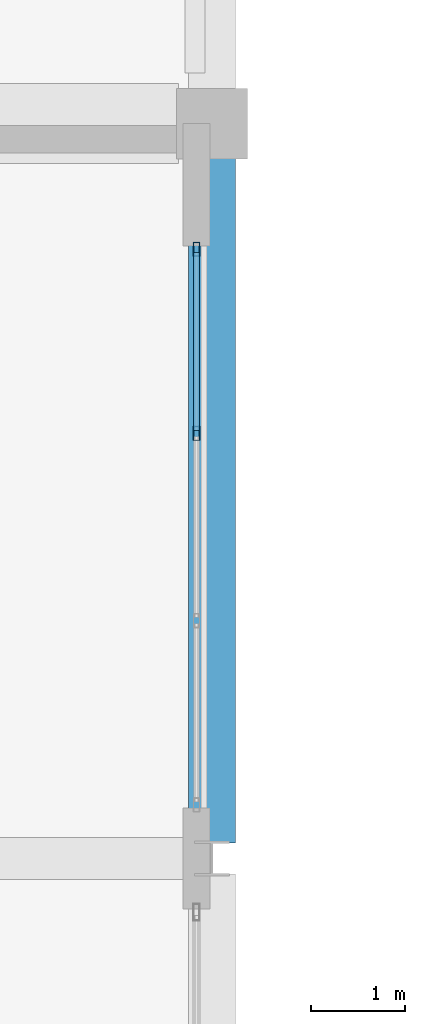
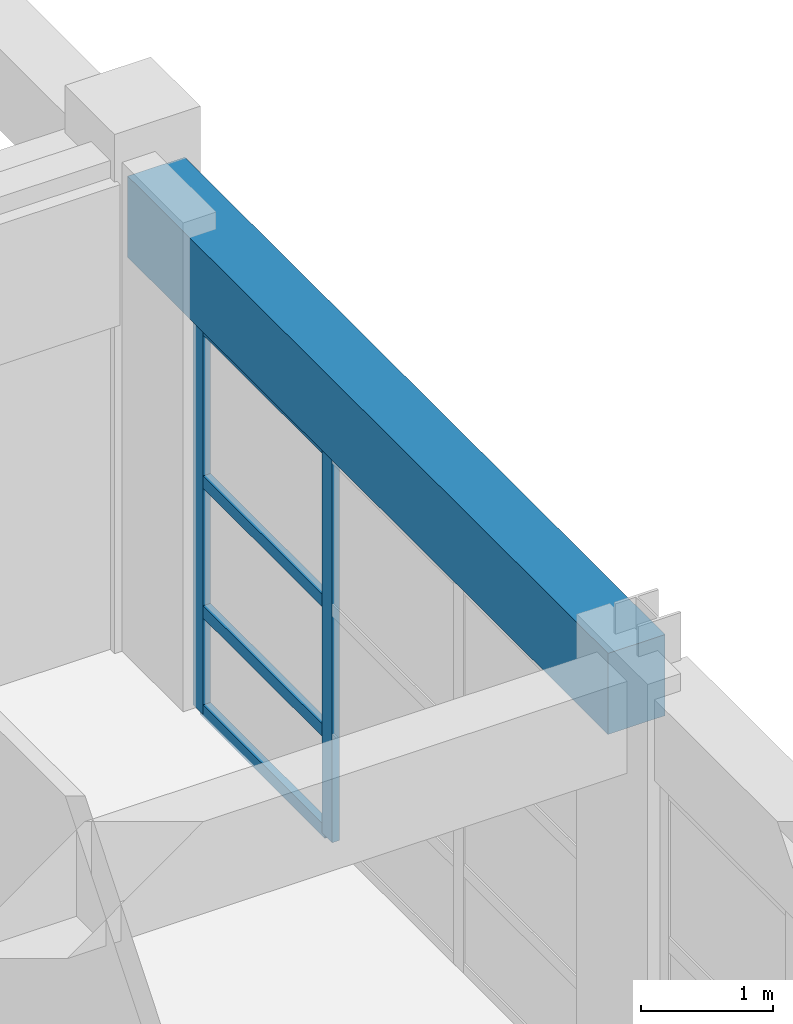
# One storey, part 17 of 123: 6 members, 1 beam, 1 element without a shape of its own.
"""IFC4 building model written with IfcOpenShell, lengths in metres."""

import ifcopenshell
import ifcopenshell.guid

model = None  # the IFC model being written
_history = None  # IfcOwnerHistory: only IFC2X3 demands one
_inside = {}  # id of a spatial element -> (the spatial element, [elements in it])
_under = {}  # id of a project, library or spatial element -> (it, [spatial elements below it])
_declared = {}  # id of a project -> (the project, [libraries it declares])
_typed = {}  # id of a type object -> (the type object, [elements of that type])
_made_of = {}  # id of a material, layer set ... -> (it, [elements and type objects made of it])


def new_model(schema):
    """Start an empty IFC model of exactly this schema.

    Asked for "IFC4X3", IfcOpenShell would pick the latest addendum, in which some entities
    have other attributes; the version numbers below select the first issue.
    IFC2X3 requires an IfcOwnerHistory on every rooted entity: one is made here for all.
    """
    global model, _history
    if schema == "IFC4X3":
        model = ifcopenshell.file(schema_version=(4, 3, 0, 0))
    else:
        model = ifcopenshell.file(schema=schema)
    _inside.clear()
    _under.clear()
    _declared.clear()
    _typed.clear()
    _made_of.clear()
    _history = None
    if model.schema == "IFC2X3":
        org = make("IfcOrganization", Name="unknown")
        user = make(
            "IfcPersonAndOrganization",
            ThePerson=make("IfcPerson", FamilyName="unknown"),
            TheOrganization=org,
        )
        app = make(
            "IfcApplication",
            ApplicationDeveloper=org,
            Version="unknown",
            ApplicationFullName="unknown",
            ApplicationIdentifier="unknown",
        )
        _history = make(
            "IfcOwnerHistory",
            OwningUser=user,
            OwningApplication=app,
            ChangeAction="ADDED",
            CreationDate=0,
        )
    return model


def make(cls, **values):
    """One entity of the class cls with the attributes given. An attribute that is None is left unset."""
    return model.create_entity(
        cls, **{name: value for name, value in values.items() if value is not None}
    )


def rooted(cls, **values):
    """An entity with a GlobalId (a new one), such as an element, a storey or a relation."""
    return make(cls, GlobalId=ifcopenshell.guid.new(), OwnerHistory=_history, **values)


def si_unit(unit_type, name, prefix=None):
    """IfcSIUnit, for example si_unit("LENGTHUNIT", "METRE", prefix="MILLI")."""
    return make("IfcSIUnit", UnitType=unit_type, Prefix=prefix, Name=name)


def assignment(units):
    """IfcUnitAssignment: the units of a project."""
    return None if units is None else make("IfcUnitAssignment", Units=units)


def point(xyz):
    """IfcCartesianPoint."""
    return None if xyz is None else make("IfcCartesianPoint", Coordinates=xyz)


def direction(xyz):
    """IfcDirection."""
    return None if xyz is None else make("IfcDirection", DirectionRatios=xyz)


def frame(location, z_axis=None, x_axis=None):
    """IfcAxis2Placement3D, a coordinate frame: its origin and axes. An axis left out is left unset."""
    return make(
        "IfcAxis2Placement3D",
        Location=point(location),
        Axis=direction(z_axis),
        RefDirection=direction(x_axis),
    )


def frame_2d(location, x_axis=None):
    """IfcAxis2Placement2D, a coordinate frame in the plane: its origin and x axis."""
    return make(
        "IfcAxis2Placement2D", Location=point(location), RefDirection=direction(x_axis)
    )


def origin():
    """The frame at (0, 0, 0) with its axes left unset."""
    return frame((0.0, 0.0, 0.0))


def origin_2d():
    """The frame at (0, 0) in the plane with its x axis left unset."""
    return frame_2d((0.0, 0.0))


def place(relative_to, where):
    """IfcLocalPlacement: puts the frame where relative to a parent placement (None: the world)."""
    return make(
        "IfcLocalPlacement", PlacementRelTo=relative_to, RelativePlacement=where
    )


def context(
    kind, dimensions, precision=None, world=None, true_north=None, identifier=None
):
    """IfcGeometricRepresentationContext, for example the 3D "Model" context."""
    return make(
        "IfcGeometricRepresentationContext",
        ContextIdentifier=identifier,
        ContextType=kind,
        CoordinateSpaceDimension=dimensions,
        Precision=precision,
        WorldCoordinateSystem=world,
        TrueNorth=true_north,
    )


def subcontext(parent, identifier, kind, view, scale=None):
    """IfcGeometricRepresentationSubContext, for example "Body" below "Model"."""
    return make(
        "IfcGeometricRepresentationSubContext",
        ContextIdentifier=identifier,
        ContextType=kind,
        ParentContext=parent,
        TargetScale=scale,
        TargetView=view,
    )


def project(units=None, contexts=None):
    """IfcProject with its units and contexts."""
    return rooted(
        "IfcProject",
        Name="project",
        RepresentationContexts=contexts,
        UnitsInContext=assignment(units),
    )


def spatial(cls, under=None, at=None, **own):
    """A site, building, storey or space (cls), placed at a placement, below another one or the project."""
    s = rooted(cls, ObjectPlacement=at, **own)
    if under is not None:
        _under.setdefault(under.id(), (under, []))[1].append(s)
    return s


def profile(cls, at=None, kind="AREA", **sizes):
    """A parametric profile (cls). Its sizes go by their IFC names, for example OverallWidth=200.0."""
    return make(cls, ProfileType=kind, Position=at, **sizes)


def rectangle(**sizes):
    """IfcRectangleProfileDef."""
    return profile("IfcRectangleProfileDef", **sizes)


def hollow_rectangle(**sizes):
    """IfcRectangleHollowProfileDef."""
    return profile("IfcRectangleHollowProfileDef", **sizes)


def extrude(swept, where, along, depth):
    """IfcExtrudedAreaSolid: the profile swept, set in the frame where, extruded along a direction by depth."""
    return make(
        "IfcExtrudedAreaSolid",
        SweptArea=swept,
        Position=where,
        ExtrudedDirection=direction(along),
        Depth=depth,
    )


def shape(context_of_items, identifier, shape_type, items):
    """IfcShapeRepresentation: the items that make up one representation, for example the "Body"."""
    return make(
        "IfcShapeRepresentation",
        ContextOfItems=context_of_items,
        RepresentationIdentifier=identifier,
        RepresentationType=shape_type,
        Items=items,
    )


def material(Name=None, Category=None):
    """IfcMaterial."""
    return make("IfcMaterial", Name=Name, Category=Category)


def layer(
    of_material, thickness, ventilated=None, Name=None, Category=None, Priority=None
):
    """IfcMaterialLayer: one layer of a wall or slab, of a material (None: an air gap)."""
    return make(
        "IfcMaterialLayer",
        Material=of_material,
        LayerThickness=thickness,
        IsVentilated=ventilated,
        Name=Name,
        Category=Category,
        Priority=Priority,
    )


def layer_set(layers, Name=None):
    """IfcMaterialLayerSet."""
    return make("IfcMaterialLayerSet", MaterialLayers=layers, LayerSetName=Name)


def material_profile(
    of_material, cross_section, Name=None, Category=None, Priority=None
):
    """IfcMaterialProfile: a cross section and its material."""
    return make(
        "IfcMaterialProfile",
        Name=Name,
        Material=of_material,
        Profile=cross_section,
        Priority=Priority,
        Category=Category,
    )


def profile_set(profiles, Name=None, composite=None):
    """IfcMaterialProfileSet."""
    return make(
        "IfcMaterialProfileSet",
        Name=Name,
        MaterialProfiles=profiles,
        CompositeProfile=composite,
    )


def made_of(thing, what):
    """Note that an element or type object is made of a material, layer set ...; save() writes the relation."""
    if what is not None:
        _made_of.setdefault(what.id(), (what, []))[1].append(thing)
    return thing


def type_object(cls, material=None, **own):
    """A type object (cls), such as IfcWallType, which elements share."""
    return made_of(rooted(cls, **own), material)


def element(
    cls,
    number,
    at=None,
    inside=None,
    cuts=None,
    type_object=None,
    material=None,
    context=None,
    identifier="Body",
    shape_type=None,
    held_by="IfcProductDefinitionShape",
    body=None,
    shapes=None,
    **own,
):
    """One element of the class cls, such as IfcWall. Its Tag is "e" and its number.

    at: its placement. inside: the storey or other place that contains it. cuts: it is an
    opening in that element (IfcRelVoidsElement). A single representation is given by context,
    identifier, shape_type and body (its items); several are given by shapes. held_by: the class
    of the entity that holds the representations. save() writes the other relations.
    """
    e = rooted(cls, Tag="e%d" % number, ObjectPlacement=at, **own)
    if body is not None:
        shapes = [shape(context, identifier, shape_type, body)]
    if shapes is not None:
        e.Representation = make(held_by, Representations=shapes)
    if inside is not None:
        _inside.setdefault(inside.id(), (inside, []))[1].append(e)
    if cuts is not None:
        rooted(
            "IfcRelVoidsElement", RelatingBuildingElement=cuts, RelatedOpeningElement=e
        )
    if type_object is not None:
        _typed.setdefault(type_object.id(), (type_object, []))[1].append(e)
    return made_of(e, material)


def aggregate(whole, parts):
    """IfcRelAggregates: a whole, such as a stair, and the parts it consists of."""
    return rooted("IfcRelAggregates", RelatingObject=whole, RelatedObjects=parts)


def save(model, path):
    """Write the relations noted so far, then the file.

    IfcRelAggregates (storeys below a building ...), IfcRelContainedInSpatialStructure (elements
    in a storey), IfcRelDefinesByType, IfcRelAssociatesMaterial and IfcRelDeclares: one each for
    every whole, place, type object, material and project.
    """
    for whole, parts in _under.values():
        aggregate(whole, parts)
    for where, things in _inside.values():
        rooted(
            "IfcRelContainedInSpatialStructure",
            RelatedElements=things,
            RelatingStructure=where,
        )
    for kind, things in _typed.values():
        rooted("IfcRelDefinesByType", RelatedObjects=things, RelatingType=kind)
    for what, things in _made_of.values():
        rooted("IfcRelAssociatesMaterial", RelatedObjects=things, RelatingMaterial=what)
    for by, libraries in _declared.values():
        rooted("IfcRelDeclares", RelatingContext=by, RelatedDefinitions=libraries)
    model.write(path)


model = new_model("IFC4")

# Units and contexts
model_context = context("Model", 3, precision=1e-05, world=origin(), true_north=direction((0.0, 1.0)))
body_context = subcontext(model_context, "Body", "Model", "MODEL_VIEW")
ifc_project = project(units=[si_unit("LENGTHUNIT", "METRE"), si_unit("AREAUNIT", "SQUARE_METRE"), si_unit("VOLUMEUNIT", "CUBIC_METRE"), si_unit("PLANEANGLEUNIT", "RADIAN"), si_unit("MASSUNIT", "GRAM", prefix="KILO")], contexts=[model_context])

# Site, building, storey
site_placement = place(None, origin())
site = spatial("IfcSite", under=ifc_project, at=site_placement, CompositionType="ELEMENT")
building_placement = place(site_placement, origin())
building = spatial("IfcBuilding", under=site, at=building_placement, Name="Quendrovan Civic Courthouse", CompositionType="ELEMENT")
storey_placement = place(building_placement, frame((0.0, 0.0, 5.39990234375)))
storey = spatial("IfcBuildingStorey", under=building, at=storey_placement, Name="L02", CompositionType="ELEMENT", Elevation=5.39990234375)

# Beam
ifc_material_1 = material(Name="Concrete C40/50", Category="concrete")
ifc_material_profile_1 = material_profile(ifc_material_1, rectangle(XDim=0.5, YDim=0.75, at=origin_2d()), Name="RC-BM-500x750")
ifc_profile_set_1 = profile_set([ifc_material_profile_1], Name="Concrete C40/50")
beam_type = type_object("IfcBeamType", Name="BM-RC750", PredefinedType="SPANDREL", material=ifc_profile_set_1)
beam_placement = place(storey_placement, frame((16.800048828125, 23.56591796875, 3.985107421875), z_axis=(0.0, 1.0, 0.0), x_axis=(-1.0, 0.0, 0.0)))
element("IfcBeam", 1, at=beam_placement, inside=storey, type_object=beam_type, Name="L02 Girder Y0625", PredefinedType="SPANDREL", context=body_context, shape_type="SweptSolid", body=[
    extrude(rectangle(XDim=0.5, YDim=0.75, at=origin_2d()), origin(), (0.0, 0.0, 1.0), 7.279052734375),
])

# Curtain wall, members
ifc_material_2 = material(Name="Bronze anodised aluminium and low-E glass", Category="aluminium")
ifc_layer = layer(ifc_material_2, 0.179931640625, Name="Bronze anodised aluminium and low-E glass")
ifc_layer_set = layer_set([ifc_layer], Name="Bronze anodised aluminium and low-E glass")
curtain_wall_type = type_object("IfcCurtainWallType", Name="CW-U60x36", PredefinedType="USERDEFINED", material=ifc_layer_set)
curtain_wall_placement = place(storey_placement, origin())
curtain_wall = element("IfcCurtainWall", 2, at=curtain_wall_placement, inside=storey, type_object=curtain_wall_type, Name="L02 Unitised Hurricane Curtain Wall CW-077", ObjectType="UNITISED CURTAIN WALL", PredefinedType="USERDEFINED")
ifc_material_3 = material(Name="Bronze anodised aluminium", Category="aluminium")
ifc_material_profile_2 = material_profile(ifc_material_3, hollow_rectangle(XDim=0.06494140625, YDim=0.14990234375, WallThickness=0.00390625, at=origin_2d()), Name="CW-MULL-65x150")
ifc_profile_set_2 = profile_set([ifc_material_profile_2], Name="Bronze anodised aluminium")
member_type_1 = type_object("IfcMemberType", Name="CW-MULL-B", PredefinedType="MULLION", material=ifc_profile_set_2)
member_1_placement = place(storey_placement, frame((16.635009765625, 29.867431640625, 0.0), z_axis=(0.0, 0.0, 1.0), x_axis=(1.0, 0.0, 0.0)))
member_1 = element("IfcMember", 3, at=member_1_placement, type_object=member_type_1, Name="CW-077 mullion 1", PredefinedType="MULLION", context=body_context, shape_type="SweptSolid", body=[
    extrude(hollow_rectangle(XDim=0.06494140625, YDim=0.14990234375, WallThickness=0.00390625, at=origin_2d()), origin(), (0.0, 0.0, 1.0), 3.60009765625),
])
member_2_placement = place(storey_placement, frame((16.635009765625, 27.912353515625, 0.0), z_axis=(0.0, 0.0, 1.0), x_axis=(1.0, 0.0, 0.0)))
member_2 = element("IfcMember", 4, at=member_2_placement, type_object=member_type_1, Name="CW-077 mullion 2", PredefinedType="MULLION", context=body_context, shape_type="SweptSolid", body=[
    extrude(hollow_rectangle(XDim=0.06494140625, YDim=0.14990234375, WallThickness=0.00390625, at=origin_2d()), origin(), (0.0, 0.0, 1.0), 3.60009765625),
])
ifc_material_profile_3 = material_profile(ifc_material_3, hollow_rectangle(XDim=0.06494140625, YDim=0.114990234375, WallThickness=0.00390625, at=origin_2d()), Name="CW-TRAN-65x115")
ifc_profile_set_3 = profile_set([ifc_material_profile_3], Name="Bronze anodised aluminium")
member_type_2 = type_object("IfcMemberType", Name="CW-TRAN-B", PredefinedType="USERDEFINED", material=ifc_profile_set_3)
member_3_placement = place(storey_placement, frame((16.635009765625, 29.8349609375, 0.03271484375), z_axis=(0.0, -1.0, 0.0), x_axis=(1.0, 0.0, 0.0)))
member_3 = element("IfcMember", 5, at=member_3_placement, type_object=member_type_2, Name="CW-077 transom 1.1", ObjectType="TRANSOM", PredefinedType="USERDEFINED", context=body_context, shape_type="SweptSolid", body=[
    extrude(hollow_rectangle(XDim=0.06494140625, YDim=0.114990234375, WallThickness=0.00390625, at=origin_2d()), origin(), (0.0, 0.0, 1.0), 1.89013671875),
])
member_4_placement = place(storey_placement, frame((16.635009765625, 29.8349609375, 0.9501953125), z_axis=(0.0, -1.0, 0.0), x_axis=(1.0, 0.0, 0.0)))
member_4 = element("IfcMember", 6, at=member_4_placement, type_object=member_type_2, Name="CW-077 transom 1.2", ObjectType="TRANSOM", PredefinedType="USERDEFINED", context=body_context, shape_type="SweptSolid", body=[
    extrude(hollow_rectangle(XDim=0.06494140625, YDim=0.114990234375, WallThickness=0.00390625, at=origin_2d()), origin(), (0.0, 0.0, 1.0), 1.89013671875),
])
member_5_placement = place(storey_placement, frame((16.635009765625, 29.8349609375, 2.150146484375), z_axis=(0.0, -1.0, 0.0), x_axis=(1.0, 0.0, 0.0)))
member_5 = element("IfcMember", 7, at=member_5_placement, type_object=member_type_2, Name="CW-077 transom 1.3", ObjectType="TRANSOM", PredefinedType="USERDEFINED", context=body_context, shape_type="SweptSolid", body=[
    extrude(hollow_rectangle(XDim=0.06494140625, YDim=0.114990234375, WallThickness=0.00390625, at=origin_2d()), origin(), (0.0, 0.0, 1.0), 1.89013671875),
])
member_6_placement = place(storey_placement, frame((16.635009765625, 29.8349609375, 3.567626953125), z_axis=(0.0, -1.0, 0.0), x_axis=(1.0, 0.0, 0.0)))
member_6 = element("IfcMember", 8, at=member_6_placement, type_object=member_type_2, Name="CW-077 transom 1.4", ObjectType="TRANSOM", PredefinedType="USERDEFINED", context=body_context, shape_type="SweptSolid", body=[
    extrude(hollow_rectangle(XDim=0.06494140625, YDim=0.114990234375, WallThickness=0.00390625, at=origin_2d()), origin(), (0.0, 0.0, 1.0), 1.89013671875),
])
aggregate(curtain_wall, [member_1, member_2, member_3, member_4, member_5, member_6])

save(model, "model.ifc")
